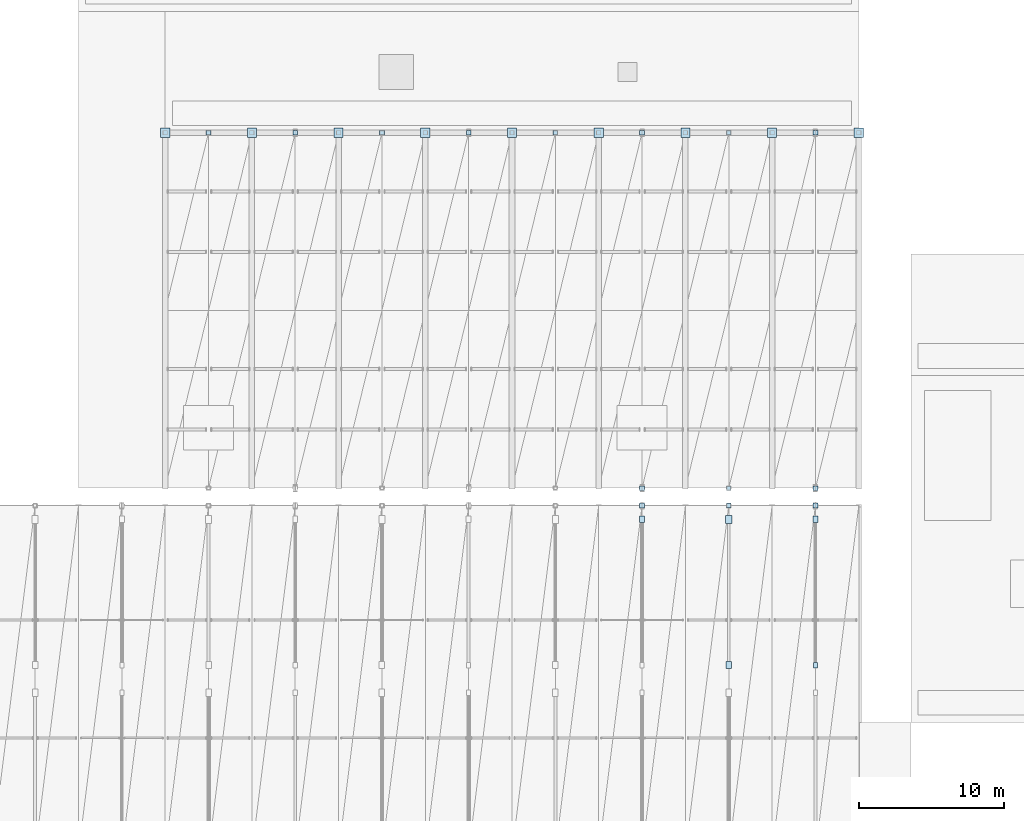
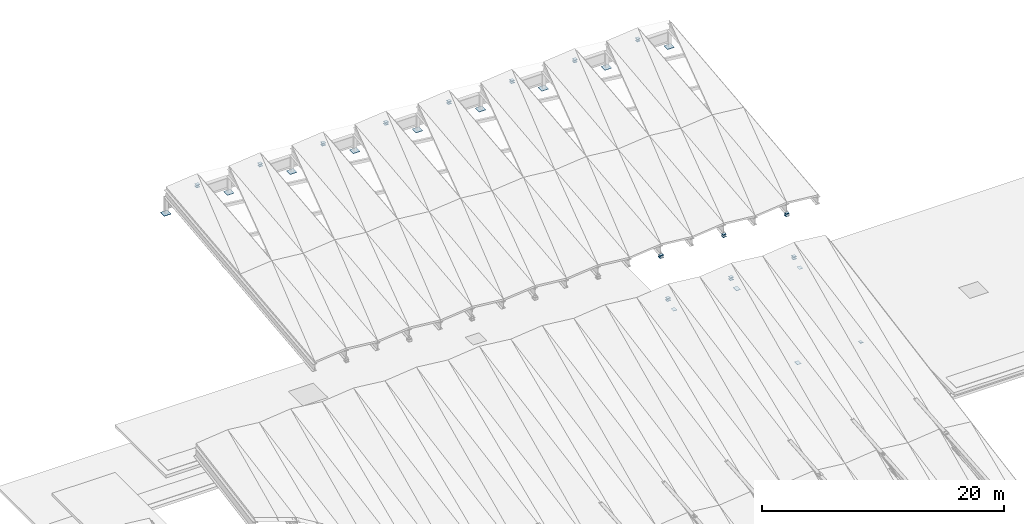
# One storey, part 28 of 52: 42 plates.
"""IFC4 building model written with IfcOpenShell, lengths in metres."""

from ifc_helpers import new_model, si_unit, direction, frame, origin, origin_2d, place, context, subcontext, project, spatial, rectangle, extrude, material, layer, layer_set, type_object, element, save


model = new_model("IFC4")

# Units and contexts
model_context = context("Model", 3, precision=1e-05, world=origin(), true_north=direction((0.0, 1.0)))
body_context = subcontext(model_context, "Body", "Model", "MODEL_VIEW")
ifc_project = project(units=[si_unit("LENGTHUNIT", "METRE"), si_unit("AREAUNIT", "SQUARE_METRE"), si_unit("VOLUMEUNIT", "CUBIC_METRE"), si_unit("PLANEANGLEUNIT", "RADIAN"), si_unit("MASSUNIT", "GRAM", prefix="KILO")], contexts=[model_context])

# Site, building, storey
site_placement = place(None, origin())
site = spatial("IfcSite", under=ifc_project, at=site_placement, CompositionType="ELEMENT")
building_placement = place(site_placement, origin())
building = spatial("IfcBuilding", under=site, at=building_placement, Name="Vaelkrest Opera House", CompositionType="ELEMENT")
storey_placement = place(building_placement, frame((0.0, 0.0, 41.39990234375)))
storey = spatial("IfcBuildingStorey", under=building, at=storey_placement, Name="ROOF", CompositionType="ELEMENT", Elevation=41.39990234375)

# Plates
ifc_material = material(Name="Steel A572 Gr50", Category="steel")
ifc_layer_1 = layer(ifc_material, 0.044921875)
ifc_layer_set_1 = layer_set([ifc_layer_1], Name="Steel A572 Gr50")
plate_type_1 = type_object("IfcPlateType", Name="GP07", PredefinedType="USERDEFINED", material=ifc_layer_set_1)
for number, where, z_axis, x_axis, name in (
    (1, (-18.0, 42.0, 0.000244140625), (0.0, 0.0, 1.0), (1.0, 0.0, 0.0), "Roof leg base plate V2-N-00"),
    (2, (-12.0, 42.0, 0.000244140625), (0.0, 0.0, 1.0), (1.0, 0.0, 0.0), "Roof leg base plate V2-N-01"),
    (3, (-6.0, 42.0, 0.000244140625), (0.0, 0.0, 1.0), (1.0, 0.0, 0.0), "Roof leg base plate V2-N-02"),
    (4, (0.0, 42.0, 0.000244140625), (0.0, 0.0, 1.0), (1.0, 0.0, 0.0), "Roof leg base plate V2-N-03"),
    (5, (6.0, 42.0, 0.000244140625), (0.0, 0.0, 1.0), (1.0, 0.0, 0.0), "Roof leg base plate V2-N-04"),
    (6, (12.0, 42.0, 0.000244140625), (0.0, 0.0, 1.0), (1.0, 0.0, 0.0), "Roof leg base plate V2-N-05"),
    (7, (18.0, 42.0, 0.000244140625), (0.0, 0.0, 1.0), (1.0, 0.0, 0.0), "Roof leg base plate V2-N-06"),
    (8, (24.0, 42.0, 0.000244140625), (0.0, 0.0, 1.0), (1.0, 0.0, 0.0), "Roof leg base plate V2-N-07"),
    (9, (30.0, 42.0, 0.000244140625), (0.0, 0.0, 1.0), (1.0, 0.0, 0.0), "Roof leg base plate V2-N-08"),
):
    element("IfcPlate", number, at=place(storey_placement, frame(where, z_axis=z_axis, x_axis=x_axis)), inside=storey, type_object=plate_type_1, Name=name, ObjectType="GUSSET PLATE", PredefinedType="USERDEFINED", context=body_context, shape_type="SweptSolid", body=[
        extrude(rectangle(XDim=0.639892578125, YDim=0.639892578125, at=origin_2d()), origin(), (0.0, 0.0, 1.0), 0.044921875),
    ])
ifc_layer_2 = layer(ifc_material, 0.01806640625)
ifc_layer_set_2 = layer_set([ifc_layer_2], Name="Steel A572 Gr50")
plate_type_2 = type_object("IfcPlateType", Name="GP09", PredefinedType="USERDEFINED", material=ifc_layer_set_2)
plate_1_placement = place(storey_placement, frame((27.0, 5.159912109375, -6.370849609375), z_axis=(0.0, 0.0, 1.0), x_axis=(0.0, 1.0, 0.0)))
element("IfcPlate", 10, at=plate_1_placement, inside=storey, type_object=plate_type_2, Name="Truss gusset plate KN-V1-19-6", ObjectType="GUSSET PLATE", PredefinedType="USERDEFINED", context=body_context, shape_type="SweptSolid", body=[
    extrude(rectangle(XDim=0.3798828125, YDim=0.280029296875, at=origin_2d()), origin(), (0.0, 0.0, 1.0), 0.01806640625),
])
ifc_layer_3 = layer(ifc_material, 0.02197265625)
ifc_layer_set_3 = layer_set([ifc_layer_3], Name="Steel A572 Gr50")
plate_type_3 = type_object("IfcPlateType", Name="GP10", PredefinedType="USERDEFINED", material=ifc_layer_set_3)
for number, where, z_axis, x_axis, name in (
    (11, (15.0, 15.239990234375, -5.0029296875), (0.0, 0.0, 1.0), (0.0, 1.0, 0.0), "Truss bottom chord gusset plate KN-V1-15-6B"),
    (12, (27.0, 15.239990234375, -5.0029296875), (0.0, 0.0, 1.0), (0.0, 1.0, 0.0), "Truss bottom chord gusset plate KN-V1-19-6B"),
):
    element("IfcPlate", number, at=place(storey_placement, frame(where, z_axis=z_axis, x_axis=x_axis)), inside=storey, type_object=plate_type_3, Name=name, ObjectType="GUSSET PLATE", PredefinedType="USERDEFINED", context=body_context, shape_type="SweptSolid", body=[
        extrude(rectangle(XDim=0.43994140625, YDim=0.340087890625, at=origin_2d()), origin(), (0.0, 0.0, 1.0), 0.02197265625),
    ])
ifc_layer_4 = layer(ifc_material, 0.02587890625)
ifc_layer_set_4 = layer_set([ifc_layer_4], Name="Steel A572 Gr50")
plate_type_4 = type_object("IfcPlateType", Name="GP11", PredefinedType="USERDEFINED", material=ifc_layer_set_4)
plate_2_placement = place(storey_placement, frame((21.0, 5.159912109375, -6.374755859375), z_axis=(0.0, 0.0, 1.0), x_axis=(0.0, 1.0, 0.0)))
element("IfcPlate", 13, at=plate_2_placement, inside=storey, type_object=plate_type_4, Name="Truss gusset plate KN-V1-17-6", ObjectType="GUSSET PLATE", PredefinedType="USERDEFINED", context=body_context, shape_type="SweptSolid", body=[
    extrude(rectangle(XDim=0.5, YDim=0.3798828125, at=origin_2d()), origin(), (0.0, 0.0, 1.0), 0.02587890625),
])
ifc_layer_5 = layer(ifc_material, 0.030029296875)
ifc_layer_set_5 = layer_set([ifc_layer_5], Name="Steel A572 Gr50")
plate_type_5 = type_object("IfcPlateType", Name="GP12", PredefinedType="USERDEFINED", material=ifc_layer_set_5)
plate_3_placement = place(storey_placement, frame((21.0, 15.239990234375, -5.0068359375), z_axis=(0.0, 0.0, 1.0), x_axis=(0.0, 1.0, 0.0)))
element("IfcPlate", 14, at=plate_3_placement, inside=storey, type_object=plate_type_5, Name="Truss bottom chord gusset plate KN-V1-17-6B", ObjectType="GUSSET PLATE", PredefinedType="USERDEFINED", context=body_context, shape_type="SweptSolid", body=[
    extrude(rectangle(XDim=0.56005859375, YDim=0.419921875, at=origin_2d()), origin(), (0.0, 0.0, 1.0), 0.030029296875),
])
ifc_layer_6 = layer(ifc_material, 0.01611328125)
ifc_layer_set_6 = layer_set([ifc_layer_6], Name="Steel A572 Gr50")
plate_type_6 = type_object("IfcPlateType", Name="GP15", PredefinedType="USERDEFINED", material=ifc_layer_set_6)
for number, where, z_axis, x_axis, name in (
    (15, (15.0, 16.199951171875, -4.634033203125), (0.0, 0.0, 1.0), (1.0, 0.0, 0.0), "Saddle post end plate V1-N-15-B"),
    (16, (15.0, 16.199951171875, -4.39599609375), (0.0, 0.0, 1.0), (1.0, 0.0, 0.0), "Saddle post end plate V1-N-15-T"),
    (17, (21.0, 16.199951171875, -4.634033203125), (0.0, 0.0, 1.0), (1.0, 0.0, 0.0), "Saddle post end plate V1-N-17-B"),
    (18, (21.0, 16.199951171875, -4.39599609375), (0.0, 0.0, 1.0), (1.0, 0.0, 0.0), "Saddle post end plate V1-N-17-T"),
    (19, (27.0, 16.199951171875, -4.634033203125), (0.0, 0.0, 1.0), (1.0, 0.0, 0.0), "Saddle post end plate V1-N-19-B"),
    (20, (27.0, 16.199951171875, -4.39599609375), (0.0, 0.0, 1.0), (1.0, 0.0, 0.0), "Saddle post end plate V1-N-19-T"),
    (21, (-15.0, 42.0, 1.677001953125), (0.0, 0.0, 1.0), (1.0, 0.0, 0.0), "Saddle post end plate V2-N-01-B"),
    (22, (-15.0, 42.0, 1.905029296875), (0.0, 0.0, 1.0), (1.0, 0.0, 0.0), "Saddle post end plate V2-N-01-T"),
    (23, (-9.0, 42.0, 1.677001953125), (0.0, 0.0, 1.0), (1.0, 0.0, 0.0), "Saddle post end plate V2-N-03-B"),
    (24, (-9.0, 42.0, 1.905029296875), (0.0, 0.0, 1.0), (1.0, 0.0, 0.0), "Saddle post end plate V2-N-03-T"),
    (25, (-3.0, 42.0, 1.677001953125), (0.0, 0.0, 1.0), (1.0, 0.0, 0.0), "Saddle post end plate V2-N-05-B"),
    (26, (-3.0, 42.0, 1.905029296875), (0.0, 0.0, 1.0), (1.0, 0.0, 0.0), "Saddle post end plate V2-N-05-T"),
    (27, (3.0, 42.0, 1.677001953125), (0.0, 0.0, 1.0), (1.0, 0.0, 0.0), "Saddle post end plate V2-N-07-B"),
    (28, (3.0, 42.0, 1.905029296875), (0.0, 0.0, 1.0), (1.0, 0.0, 0.0), "Saddle post end plate V2-N-07-T"),
    (29, (9.0, 42.0, 1.677001953125), (0.0, 0.0, 1.0), (1.0, 0.0, 0.0), "Saddle post end plate V2-N-09-B"),
    (30, (9.0, 42.0, 1.905029296875), (0.0, 0.0, 1.0), (1.0, 0.0, 0.0), "Saddle post end plate V2-N-09-T"),
    (31, (15.0, 17.39990234375, -1.02294921875), (0.0, 0.0, 1.0), (1.0, 0.0, 0.0), "Saddle post end plate V2-S-11-B"),
    (32, (15.0, 17.39990234375, -0.794921875), (0.0, 0.0, 1.0), (1.0, 0.0, 0.0), "Saddle post end plate V2-S-11-T"),
    (33, (15.0, 42.0, 1.677001953125), (0.0, 0.0, 1.0), (1.0, 0.0, 0.0), "Saddle post end plate V2-N-11-B"),
    (34, (15.0, 42.0, 1.905029296875), (0.0, 0.0, 1.0), (1.0, 0.0, 0.0), "Saddle post end plate V2-N-11-T"),
    (35, (21.0, 17.39990234375, -1.02294921875), (0.0, 0.0, 1.0), (1.0, 0.0, 0.0), "Saddle post end plate V2-S-13-B"),
    (36, (21.0, 17.39990234375, -0.794921875), (0.0, 0.0, 1.0), (1.0, 0.0, 0.0), "Saddle post end plate V2-S-13-T"),
    (37, (21.0, 42.0, 1.677001953125), (0.0, 0.0, 1.0), (1.0, 0.0, 0.0), "Saddle post end plate V2-N-13-B"),
    (38, (21.0, 42.0, 1.905029296875), (0.0, 0.0, 1.0), (1.0, 0.0, 0.0), "Saddle post end plate V2-N-13-T"),
    (39, (27.0, 17.39990234375, -1.02294921875), (0.0, 0.0, 1.0), (1.0, 0.0, 0.0), "Saddle post end plate V2-S-15-B"),
    (40, (27.0, 17.39990234375, -0.794921875), (0.0, 0.0, 1.0), (1.0, 0.0, 0.0), "Saddle post end plate V2-S-15-T"),
    (41, (27.0, 42.0, 1.677001953125), (0.0, 0.0, 1.0), (1.0, 0.0, 0.0), "Saddle post end plate V2-N-15-B"),
    (42, (27.0, 42.0, 1.905029296875), (0.0, 0.0, 1.0), (1.0, 0.0, 0.0), "Saddle post end plate V2-N-15-T"),
):
    element("IfcPlate", number, at=place(storey_placement, frame(where, z_axis=z_axis, x_axis=x_axis)), inside=storey, type_object=plate_type_6, Name=name, ObjectType="GUSSET PLATE", PredefinedType="USERDEFINED", context=body_context, shape_type="SweptSolid", body=[
        extrude(rectangle(XDim=0.320068359375, YDim=0.320068359375, at=origin_2d()), origin(), (0.0, 0.0, 1.0), 0.01611328125),
    ])

save(model, "model.ifc")
